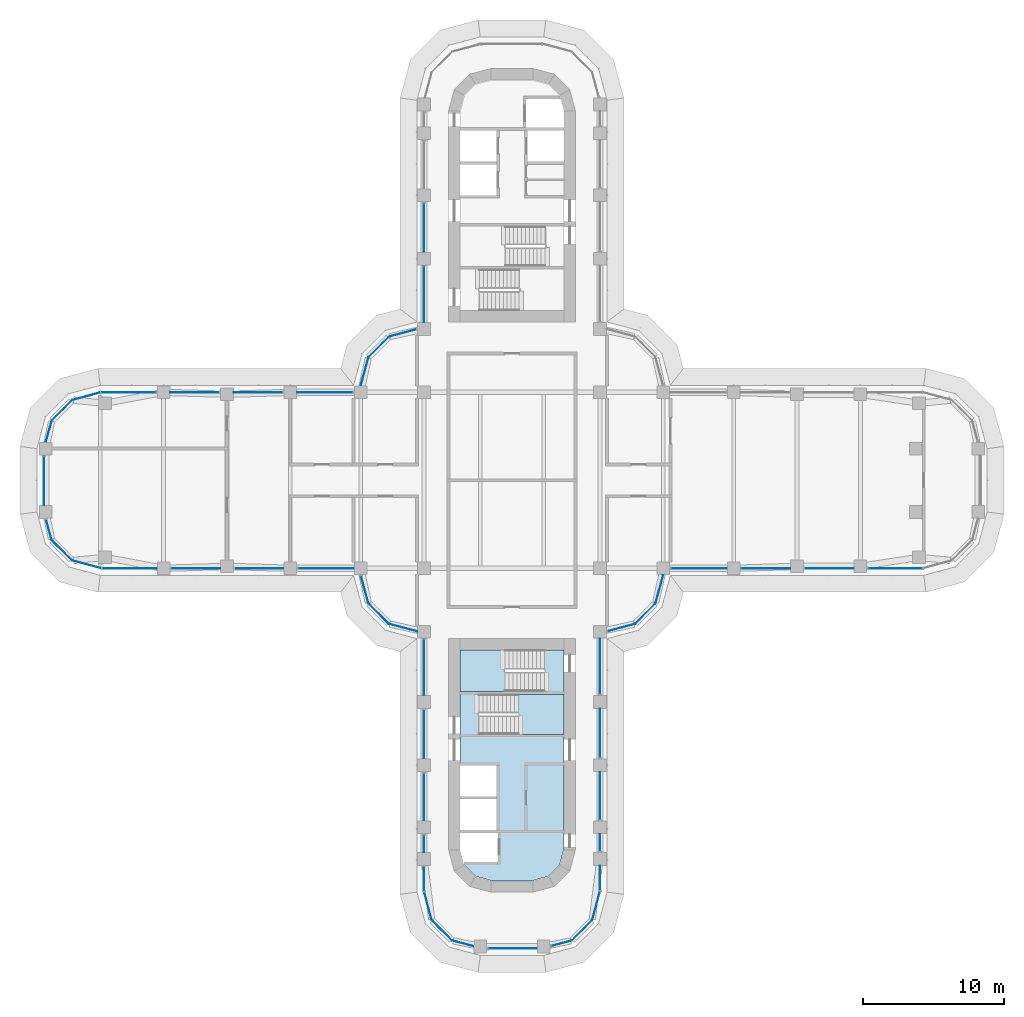
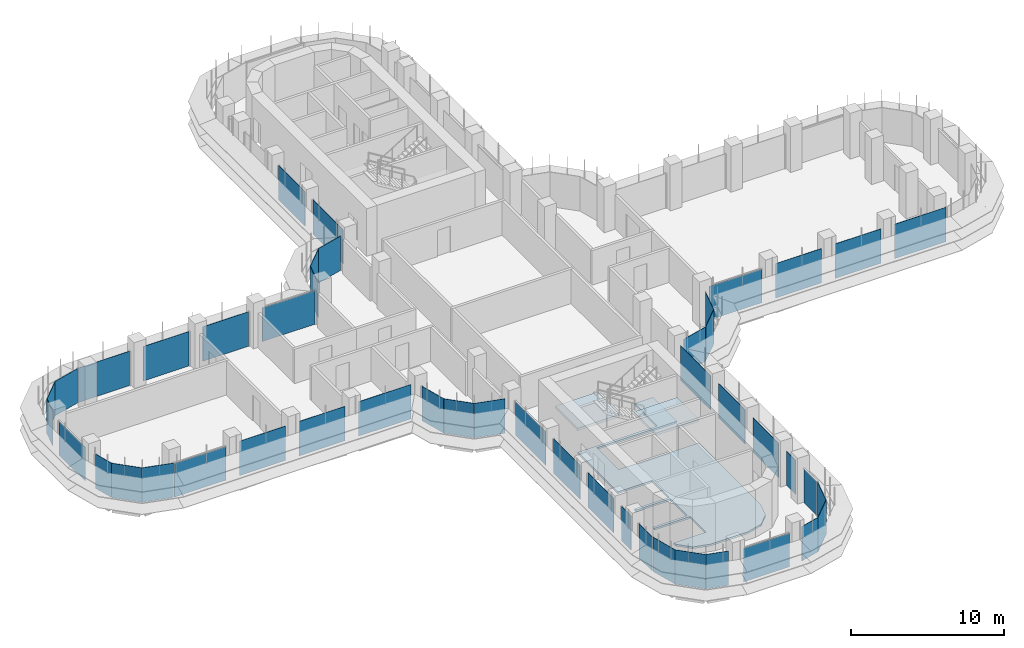
# One storey, part 12 of 21: 47 plates, 3 slabs, 31 elements without a shape of their own.
"""IFC4 building model written with IfcOpenShell, lengths in metres."""

import ifcopenshell
import ifcopenshell.guid

model = None  # the IFC model being written
_history = None  # IfcOwnerHistory: only IFC2X3 demands one
_inside = {}  # id of a spatial element -> (the spatial element, [elements in it])
_under = {}  # id of a project, library or spatial element -> (it, [spatial elements below it])
_declared = {}  # id of a project -> (the project, [libraries it declares])
_typed = {}  # id of a type object -> (the type object, [elements of that type])
_made_of = {}  # id of a material, layer set ... -> (it, [elements and type objects made of it])


def new_model(schema):
    """Start an empty IFC model of exactly this schema.

    Asked for "IFC4X3", IfcOpenShell would pick the latest addendum, in which some entities
    have other attributes; the version numbers below select the first issue.
    IFC2X3 requires an IfcOwnerHistory on every rooted entity: one is made here for all.
    """
    global model, _history
    if schema == "IFC4X3":
        model = ifcopenshell.file(schema_version=(4, 3, 0, 0))
    else:
        model = ifcopenshell.file(schema=schema)
    _inside.clear()
    _under.clear()
    _declared.clear()
    _typed.clear()
    _made_of.clear()
    _history = None
    if model.schema == "IFC2X3":
        org = make("IfcOrganization", Name="unknown")
        user = make(
            "IfcPersonAndOrganization",
            ThePerson=make("IfcPerson", FamilyName="unknown"),
            TheOrganization=org,
        )
        app = make(
            "IfcApplication",
            ApplicationDeveloper=org,
            Version="unknown",
            ApplicationFullName="unknown",
            ApplicationIdentifier="unknown",
        )
        _history = make(
            "IfcOwnerHistory",
            OwningUser=user,
            OwningApplication=app,
            ChangeAction="ADDED",
            CreationDate=0,
        )
    return model


def make(cls, **values):
    """One entity of the class cls with the attributes given. An attribute that is None is left unset."""
    return model.create_entity(
        cls, **{name: value for name, value in values.items() if value is not None}
    )


def rooted(cls, **values):
    """An entity with a GlobalId (a new one), such as an element, a storey or a relation."""
    return make(cls, GlobalId=ifcopenshell.guid.new(), OwnerHistory=_history, **values)


def si_unit(unit_type, name, prefix=None):
    """IfcSIUnit, for example si_unit("LENGTHUNIT", "METRE", prefix="MILLI")."""
    return make("IfcSIUnit", UnitType=unit_type, Prefix=prefix, Name=name)


def assignment(units):
    """IfcUnitAssignment: the units of a project."""
    return None if units is None else make("IfcUnitAssignment", Units=units)


def point(xyz):
    """IfcCartesianPoint."""
    return None if xyz is None else make("IfcCartesianPoint", Coordinates=xyz)


def direction(xyz):
    """IfcDirection."""
    return None if xyz is None else make("IfcDirection", DirectionRatios=xyz)


def frame(location, z_axis=None, x_axis=None):
    """IfcAxis2Placement3D, a coordinate frame: its origin and axes. An axis left out is left unset."""
    return make(
        "IfcAxis2Placement3D",
        Location=point(location),
        Axis=direction(z_axis),
        RefDirection=direction(x_axis),
    )


def origin():
    """The frame at (0, 0, 0) with its axes left unset."""
    return frame((0.0, 0.0, 0.0))


def place(relative_to, where):
    """IfcLocalPlacement: puts the frame where relative to a parent placement (None: the world)."""
    return make(
        "IfcLocalPlacement", PlacementRelTo=relative_to, RelativePlacement=where
    )


def context(
    kind, dimensions, precision=None, world=None, true_north=None, identifier=None
):
    """IfcGeometricRepresentationContext, for example the 3D "Model" context."""
    return make(
        "IfcGeometricRepresentationContext",
        ContextIdentifier=identifier,
        ContextType=kind,
        CoordinateSpaceDimension=dimensions,
        Precision=precision,
        WorldCoordinateSystem=world,
        TrueNorth=true_north,
    )


def subcontext(parent, identifier, kind, view, scale=None):
    """IfcGeometricRepresentationSubContext, for example "Body" below "Model"."""
    return make(
        "IfcGeometricRepresentationSubContext",
        ContextIdentifier=identifier,
        ContextType=kind,
        ParentContext=parent,
        TargetScale=scale,
        TargetView=view,
    )


def project(units=None, contexts=None):
    """IfcProject with its units and contexts."""
    return rooted(
        "IfcProject",
        Name="project",
        RepresentationContexts=contexts,
        UnitsInContext=assignment(units),
    )


def spatial(cls, under=None, at=None, **own):
    """A site, building, storey or space (cls), placed at a placement, below another one or the project."""
    s = rooted(cls, ObjectPlacement=at, **own)
    if under is not None:
        _under.setdefault(under.id(), (under, []))[1].append(s)
    return s


def polyline(points):
    """IfcPolyline through the points."""
    return make("IfcPolyline", Points=[point(p) for p in points])


def outline(outer, holes=None, kind="AREA"):
    """IfcArbitraryClosedProfileDef: a profile drawn as a closed curve; with holes, ...WithVoids."""
    if holes is None:
        return make("IfcArbitraryClosedProfileDef", ProfileType=kind, OuterCurve=outer)
    return make(
        "IfcArbitraryProfileDefWithVoids",
        ProfileType=kind,
        OuterCurve=outer,
        InnerCurves=holes,
    )


def extrude(swept, where, along, depth):
    """IfcExtrudedAreaSolid: the profile swept, set in the frame where, extruded along a direction by depth."""
    return make(
        "IfcExtrudedAreaSolid",
        SweptArea=swept,
        Position=where,
        ExtrudedDirection=direction(along),
        Depth=depth,
    )


def shape(context_of_items, identifier, shape_type, items):
    """IfcShapeRepresentation: the items that make up one representation, for example the "Body"."""
    return make(
        "IfcShapeRepresentation",
        ContextOfItems=context_of_items,
        RepresentationIdentifier=identifier,
        RepresentationType=shape_type,
        Items=items,
    )


def source(mapping_origin, context_of_items, identifier, shape_type, items):
    """IfcRepresentationMap: a shape defined once, which mapped items show again and again."""
    return make(
        "IfcRepresentationMap",
        MappingOrigin=mapping_origin,
        MappedRepresentation=shape(context_of_items, identifier, shape_type, items),
    )


def transform(
    local_origin,
    x_axis=None,
    y_axis=None,
    z_axis=None,
    scale=None,
    scale2=None,
    scale3=None,
    uniform=True,
):
    """IfcCartesianTransformationOperator3D, or its non-uniform kind. x_axis, y_axis, z_axis: its Axis1, 2, 3."""
    if uniform:
        return make(
            "IfcCartesianTransformationOperator3D",
            Axis1=direction(x_axis),
            Axis2=direction(y_axis),
            LocalOrigin=point(local_origin),
            Scale=scale,
            Axis3=direction(z_axis),
        )
    return make(
        "IfcCartesianTransformationOperator3DnonUniform",
        Axis1=direction(x_axis),
        Axis2=direction(y_axis),
        LocalOrigin=point(local_origin),
        Scale=scale,
        Axis3=direction(z_axis),
        Scale2=scale2,
        Scale3=scale3,
    )


def mapped(mapping_source, mapping_target):
    """IfcMappedItem: shows the shape of a source again, moved by a transform."""
    return make(
        "IfcMappedItem", MappingSource=mapping_source, MappingTarget=mapping_target
    )


def material(Name=None, Category=None):
    """IfcMaterial."""
    return make("IfcMaterial", Name=Name, Category=Category)


def layer(
    of_material, thickness, ventilated=None, Name=None, Category=None, Priority=None
):
    """IfcMaterialLayer: one layer of a wall or slab, of a material (None: an air gap)."""
    return make(
        "IfcMaterialLayer",
        Material=of_material,
        LayerThickness=thickness,
        IsVentilated=ventilated,
        Name=Name,
        Category=Category,
        Priority=Priority,
    )


def layer_set(layers, Name=None):
    """IfcMaterialLayerSet."""
    return make("IfcMaterialLayerSet", MaterialLayers=layers, LayerSetName=Name)


def made_of(thing, what):
    """Note that an element or type object is made of a material, layer set ...; save() writes the relation."""
    if what is not None:
        _made_of.setdefault(what.id(), (what, []))[1].append(thing)
    return thing


def type_object(cls, material=None, **own):
    """A type object (cls), such as IfcWallType, which elements share."""
    return made_of(rooted(cls, **own), material)


def element(
    cls,
    number,
    at=None,
    inside=None,
    cuts=None,
    type_object=None,
    material=None,
    context=None,
    identifier="Body",
    shape_type=None,
    held_by="IfcProductDefinitionShape",
    body=None,
    shapes=None,
    **own,
):
    """One element of the class cls, such as IfcWall. Its Tag is "e" and its number.

    at: its placement. inside: the storey or other place that contains it. cuts: it is an
    opening in that element (IfcRelVoidsElement). A single representation is given by context,
    identifier, shape_type and body (its items); several are given by shapes. held_by: the class
    of the entity that holds the representations. save() writes the other relations.
    """
    e = rooted(cls, Tag="e%d" % number, ObjectPlacement=at, **own)
    if body is not None:
        shapes = [shape(context, identifier, shape_type, body)]
    if shapes is not None:
        e.Representation = make(held_by, Representations=shapes)
    if inside is not None:
        _inside.setdefault(inside.id(), (inside, []))[1].append(e)
    if cuts is not None:
        rooted(
            "IfcRelVoidsElement", RelatingBuildingElement=cuts, RelatedOpeningElement=e
        )
    if type_object is not None:
        _typed.setdefault(type_object.id(), (type_object, []))[1].append(e)
    return made_of(e, material)


def aggregate(whole, parts):
    """IfcRelAggregates: a whole, such as a stair, and the parts it consists of."""
    return rooted("IfcRelAggregates", RelatingObject=whole, RelatedObjects=parts)


def save(model, path):
    """Write the relations noted so far, then the file.

    IfcRelAggregates (storeys below a building ...), IfcRelContainedInSpatialStructure (elements
    in a storey), IfcRelDefinesByType, IfcRelAssociatesMaterial and IfcRelDeclares: one each for
    every whole, place, type object, material and project.
    """
    for whole, parts in _under.values():
        aggregate(whole, parts)
    for where, things in _inside.values():
        rooted(
            "IfcRelContainedInSpatialStructure",
            RelatedElements=things,
            RelatingStructure=where,
        )
    for kind, things in _typed.values():
        rooted("IfcRelDefinesByType", RelatedObjects=things, RelatingType=kind)
    for what, things in _made_of.values():
        rooted("IfcRelAssociatesMaterial", RelatedObjects=things, RelatingMaterial=what)
    for by, libraries in _declared.values():
        rooted("IfcRelDeclares", RelatingContext=by, RelatedDefinitions=libraries)
    model.write(path)


model = new_model("IFC4")

# Units and contexts
model_context = context("Model", 3, precision=1e-05, world=origin(), true_north=direction((0.0, 1.0)))
body_context = subcontext(model_context, "Body", "Model", "MODEL_VIEW")
ifc_project = project(units=[si_unit("LENGTHUNIT", "METRE"), si_unit("AREAUNIT", "SQUARE_METRE"), si_unit("VOLUMEUNIT", "CUBIC_METRE"), si_unit("PLANEANGLEUNIT", "RADIAN"), si_unit("MASSUNIT", "GRAM", prefix="KILO")], contexts=[model_context])

# Site, building, storey
site_placement = place(None, origin())
site = spatial("IfcSite", under=ifc_project, at=site_placement, CompositionType="ELEMENT")
building_placement = place(site_placement, origin())
building = spatial("IfcBuilding", under=site, at=building_placement, Name="Zarbagh Exchange Tower", CompositionType="ELEMENT")
storey_placement = place(building_placement, frame((0.0, 0.0, 120.800048828125)))
storey = spatial("IfcBuildingStorey", under=building, at=storey_placement, Name="L28", CompositionType="ELEMENT", Elevation=120.800048828125)

# Slab
ifc_material_1 = material(Name="Concrete C40/50", Category="concrete")
ifc_layer_1 = layer(ifc_material_1, 0.14990234375)
ifc_layer_set_1 = layer_set([ifc_layer_1], Name="Core floor slab 150 C40/50")
slab_type_1 = type_object("IfcSlabType", Name="Core floor slab 150 C40/50", PredefinedType="FLOOR", material=ifc_layer_set_1)
slab_1_placement = place(storey_placement, frame((0.0, 0.0, -0.150146484375)))
element("IfcSlab", 1, at=slab_1_placement, inside=storey, type_object=slab_type_1, Name="S17 core S", PredefinedType="FLOOR", context=body_context, shape_type="SweptSolid", body=[
    extrude(outline(polyline([(-2.5859375, -28.130859375), (-3.380859375, -27.3359375), (-3.646484375, -26.3447265625), (-3.444091796875, -27.10009765625), (-1.0, -27.10009765625), (-1.0, -25.050048828125), (-3.699951171875, -25.050048828125), (-3.699951171875, -24.85009765625), (-1.10009765625, -24.85009765625), (-1.10009765625, -22.64990234375), (-3.699951171875, -22.64990234375), (-3.699951171875, -22.449951171875), (-1.10009765625, -22.449951171875), (-1.10009765625, -20.25), (-3.699951171875, -20.25), (-3.699951171875, -15.0), (2.300048828125, -15.0), (2.300048828125, -12.050048828125), (3.699951171875, -12.050048828125), (3.699951171875, -15.199951171875), (-2.35009765625, -15.199951171875), (-2.35009765625, -18.050048828125), (3.699951171875, -18.050048828125), (3.699951171875, -26.144775390625), (3.380859375, -27.3359375), (2.5859375, -28.130859375), (1.394775390625, -28.449951171875), (-1.394775390625, -28.449951171875), (-2.5859375, -28.130859375)])), origin(), (0.0, 0.0, 1.0), 0.150146484375),
])

# Stair, slab
stair_type = type_object("IfcStairType", Name="Exit stair two-flight half-turn", PredefinedType="HALF_TURN_STAIR", material=ifc_material_1)
stair_1_placement = place(storey_placement, origin())
stair_1 = element("IfcStair", 2, at=stair_1_placement, inside=storey, type_object=stair_type, Name="exit stair ST3", PredefinedType="HALF_TURN_STAIR")
ifc_layer_2 = layer(ifc_material_1, 0.199951171875)
ifc_layer_set_2 = layer_set([ifc_layer_2], Name="Stair landing 200 mm")
slab_type_2 = type_object("IfcSlabType", Name="Stair landing 200 mm", PredefinedType="LANDING", material=ifc_layer_set_2)
slab_2_placement = place(storey_placement, frame((0.0, 0.0, 1.699951171875)))
slab_2 = element("IfcSlab", 3, at=slab_2_placement, type_object=slab_type_2, Name="ST3 landing 1", PredefinedType="LANDING", context=body_context, shape_type="SweptSolid", body=[
    extrude(outline(polyline([(0.449951171875, -18.050048828125), (3.699951171875, -18.050048828125), (3.699951171875, -15.199951171875), (0.449951171875, -15.199951171875), (0.449951171875, -18.050048828125)])), origin(), (0.0, 0.0, 1.0), 0.199951171875),
])
aggregate(stair_1, [slab_2])

stair_2_placement = place(storey_placement, origin())
stair_2 = element("IfcStair", 4, at=stair_2_placement, inside=storey, type_object=stair_type, Name="exit stair ST4", PredefinedType="HALF_TURN_STAIR")
slab_3_placement = place(storey_placement, frame((0.0, 0.0, 1.699951171875)))
slab_3 = element("IfcSlab", 5, at=slab_3_placement, type_object=slab_type_2, Name="ST4 landing 1", PredefinedType="LANDING", context=body_context, shape_type="SweptSolid", body=[
    extrude(outline(polyline([(-0.5, -12.050048828125), (-3.699951171875, -12.050048828125), (-3.699951171875, -15.0), (-0.5, -15.0), (-0.5, -12.050048828125)])), origin(), (0.0, 0.0, 1.0), 0.199951171875),
])
aggregate(stair_2, [slab_3])

# Curtain wall, plate
ifc_material_2 = material(Name="Anodised aluminium frame and glazing", Category="aluminium")
curtain_wall_type = type_object("IfcCurtainWallType", Name="CWA Ribbon glazing, lower zones", PredefinedType="NOTDEFINED", material=ifc_material_2)
curtain_wall_1_placement = place(storey_placement, origin())
curtain_wall_1 = element("IfcCurtainWall", 6, at=curtain_wall_1_placement, inside=storey, type_object=curtain_wall_type, Name="CWA01 curtain wall", PredefinedType="NOTDEFINED")
ifc_material_3 = material(Name="Low-e double glazed unit, 6+12+6 mm")
ifc_layer_3 = layer(ifc_material_3, 0.028076171875)
ifc_layer_set_3 = layer_set([ifc_layer_3], Name="PAA Glazing panel, Low-e double glazed unit, 6+12+6 mm")
plate_type = type_object("IfcPlateType", Name="PAA Glazing panel, Low-e double glazed unit, 6+12+6 mm", PredefinedType="CURTAIN_PANEL", material=ifc_layer_set_3)
shared_shape_1 = source(origin(), body_context, "Body", "SweptSolid", [
    extrude(outline(polyline([(0.0, -0.013916015625), (1.494140625, -0.013916015625), (1.494140625, 0.013916015625), (0.0, 0.013916015625), (0.0, -0.013916015625)])), origin(), (0.0, 0.0, 1.0), 2.75),
])
placement = place(storey_placement, origin())
plate_1 = element("IfcPlate", 7, at=placement, type_object=plate_type, Name="CWA01 glazing panel 1.1", PredefinedType="CURTAIN_PANEL", context=body_context, shape_type="MappedRepresentation", body=[
    mapped(shared_shape_1, transform((2.7978515625, -33.08544921875, 0.0), x_axis=(0.965924289636, 0.258824779902, 0.0), y_axis=(-0.258824779902, 0.965924289636, 0.0), z_axis=(0.0, 0.0, 1.0))),
])
aggregate(curtain_wall_1, [plate_1])

curtain_wall_2_placement = place(storey_placement, origin())
curtain_wall_2 = element("IfcCurtainWall", 8, at=curtain_wall_2_placement, inside=storey, type_object=curtain_wall_type, Name="CWA37 curtain wall", PredefinedType="NOTDEFINED")
plate_2 = element("IfcPlate", 9, at=placement, type_object=plate_type, Name="CWA37 glazing panel 1.1", PredefinedType="CURTAIN_PANEL", context=body_context, shape_type="MappedRepresentation", body=[
    mapped(shared_shape_1, transform((-33.08544921875, -2.7978515625, 0.0), x_axis=(0.258824779902, -0.965924289636, 0.0), y_axis=(0.965924289636, 0.258824779902, 0.0), z_axis=(0.0, 0.0, 1.0))),
])
aggregate(curtain_wall_2, [plate_2])

curtain_wall_3_placement = place(storey_placement, origin())
curtain_wall_3 = element("IfcCurtainWall", 10, at=curtain_wall_3_placement, inside=storey, type_object=curtain_wall_type, Name="CWA02 curtain wall", PredefinedType="NOTDEFINED")
shared_shape_2 = source(origin(), body_context, "Body", "SweptSolid", [
    extrude(outline(polyline([(0.0, -0.013916015625), (2.061279296875, -0.013916015625), (2.061279296875, 0.013916015625), (0.0, 0.013916015625), (0.0, -0.013916015625)])), origin(), (0.0, 0.0, 1.0), 2.75),
])
plate_3 = element("IfcPlate", 11, at=placement, type_object=plate_type, Name="CWA02 glazing panel 1.1", PredefinedType="CURTAIN_PANEL", context=body_context, shape_type="MappedRepresentation", body=[
    mapped(shared_shape_2, transform((4.2412109375, -32.69873046875, 0.0), x_axis=(0.707106781187, 0.707106781187, 0.0), y_axis=(-0.707106781187, 0.707106781187, 0.0), z_axis=(0.0, 0.0, 1.0))),
])
aggregate(curtain_wall_3, [plate_3])

curtain_wall_4_placement = place(storey_placement, origin())
curtain_wall_4 = element("IfcCurtainWall", 12, at=curtain_wall_4_placement, inside=storey, type_object=curtain_wall_type, Name="CWA06 curtain wall", PredefinedType="NOTDEFINED")
plate_4 = element("IfcPlate", 13, at=placement, type_object=plate_type, Name="CWA06 glazing panel 1.1", PredefinedType="CURTAIN_PANEL", context=body_context, shape_type="MappedRepresentation", body=[
    mapped(shared_shape_2, transform((8.7412109375, -10.19873046875, 0.0), x_axis=(0.707106781187, 0.707106781187, 0.0), y_axis=(-0.707106781187, 0.707106781187, 0.0), z_axis=(0.0, 0.0, 1.0))),
])
aggregate(curtain_wall_4, [plate_4])

curtain_wall_5_placement = place(storey_placement, origin())
curtain_wall_5 = element("IfcCurtainWall", 14, at=curtain_wall_5_placement, inside=storey, type_object=curtain_wall_type, Name="CWA30 curtain wall", PredefinedType="NOTDEFINED")
plate_5 = element("IfcPlate", 15, at=placement, type_object=plate_type, Name="CWA30 glazing panel 1.1", PredefinedType="CURTAIN_PANEL", context=body_context, shape_type="MappedRepresentation", body=[
    mapped(shared_shape_2, transform((-8.7412109375, 10.19873046875, 0.0), x_axis=(-0.707106781187, -0.707106781187, 0.0), y_axis=(0.707106781187, -0.707106781187, 0.0), z_axis=(0.0, 0.0, 1.0))),
])
aggregate(curtain_wall_5, [plate_5])

curtain_wall_6_placement = place(storey_placement, origin())
curtain_wall_6 = element("IfcCurtainWall", 16, at=curtain_wall_6_placement, inside=storey, type_object=curtain_wall_type, Name="CWA34 curtain wall", PredefinedType="NOTDEFINED")
plate_6 = element("IfcPlate", 17, at=placement, type_object=plate_type, Name="CWA34 glazing panel 1.1", PredefinedType="CURTAIN_PANEL", context=body_context, shape_type="MappedRepresentation", body=[
    mapped(shared_shape_2, transform((-31.2412109375, 5.69873046875, 0.0), x_axis=(-0.707106781187, -0.707106781187, 0.0), y_axis=(0.707106781187, -0.707106781187, 0.0), z_axis=(0.0, 0.0, 1.0))),
])
aggregate(curtain_wall_6, [plate_6])

curtain_wall_7_placement = place(storey_placement, origin())
curtain_wall_7 = element("IfcCurtainWall", 18, at=curtain_wall_7_placement, inside=storey, type_object=curtain_wall_type, Name="CWA38 curtain wall", PredefinedType="NOTDEFINED")
plate_7 = element("IfcPlate", 19, at=placement, type_object=plate_type, Name="CWA38 glazing panel 1.1", PredefinedType="CURTAIN_PANEL", context=body_context, shape_type="MappedRepresentation", body=[
    mapped(shared_shape_2, transform((-32.69873046875, -4.2412109375, 0.0), x_axis=(0.707106781187, -0.707106781187, 0.0), y_axis=(0.707106781187, 0.707106781187, 0.0), z_axis=(0.0, 0.0, 1.0))),
])
aggregate(curtain_wall_7, [plate_7])

curtain_wall_8_placement = place(storey_placement, origin())
curtain_wall_8 = element("IfcCurtainWall", 20, at=curtain_wall_8_placement, inside=storey, type_object=curtain_wall_type, Name="CWA42 curtain wall", PredefinedType="NOTDEFINED")
plate_8 = element("IfcPlate", 21, at=placement, type_object=plate_type, Name="CWA42 glazing panel 1.1", PredefinedType="CURTAIN_PANEL", context=body_context, shape_type="MappedRepresentation", body=[
    mapped(shared_shape_2, transform((-10.19873046875, -8.7412109375, 0.0), x_axis=(0.707106781187, -0.707106781187, 0.0), y_axis=(0.707106781187, 0.707106781187, 0.0), z_axis=(0.0, 0.0, 1.0))),
])
aggregate(curtain_wall_8, [plate_8])

curtain_wall_9_placement = place(storey_placement, origin())
curtain_wall_9 = element("IfcCurtainWall", 22, at=curtain_wall_9_placement, inside=storey, type_object=curtain_wall_type, Name="CWA46 curtain wall", PredefinedType="NOTDEFINED")
plate_9 = element("IfcPlate", 23, at=placement, type_object=plate_type, Name="CWA46 glazing panel 1.1", PredefinedType="CURTAIN_PANEL", context=body_context, shape_type="MappedRepresentation", body=[
    mapped(shared_shape_2, transform((-5.69873046875, -31.2412109375, 0.0), x_axis=(0.707106781187, -0.707106781187, 0.0), y_axis=(0.707106781187, 0.707106781187, 0.0), z_axis=(0.0, 0.0, 1.0))),
])
aggregate(curtain_wall_9, [plate_9])

curtain_wall_10_placement = place(storey_placement, origin())
curtain_wall_10 = element("IfcCurtainWall", 24, at=curtain_wall_10_placement, inside=storey, type_object=curtain_wall_type, Name="CWA03 curtain wall", PredefinedType="NOTDEFINED")
shared_shape_3 = source(origin(), body_context, "Body", "SweptSolid", [
    extrude(outline(polyline([(0.0, -0.013916015625), (2.129638671875, -0.013916015625), (2.129638671875, 0.013916015625), (0.0, 0.013916015625), (0.0, -0.013916015625)])), origin(), (0.0, 0.0, 1.0), 2.75),
])
plate_10 = element("IfcPlate", 25, at=placement, type_object=plate_type, Name="CWA03 glazing panel 1.1", PredefinedType="CURTAIN_PANEL", context=body_context, shape_type="MappedRepresentation", body=[
    mapped(shared_shape_3, transform((5.69873046875, -31.2412109375, 0.0), x_axis=(0.258824779902, 0.965924289636, 0.0), y_axis=(-0.965924289636, 0.258824779902, 0.0), z_axis=(0.0, 0.0, 1.0))),
])
aggregate(curtain_wall_10, [plate_10])

curtain_wall_11_placement = place(storey_placement, origin())
curtain_wall_11 = element("IfcCurtainWall", 26, at=curtain_wall_11_placement, inside=storey, type_object=curtain_wall_type, Name="CWA39 curtain wall", PredefinedType="NOTDEFINED")
plate_11 = element("IfcPlate", 27, at=placement, type_object=plate_type, Name="CWA39 glazing panel 1.1", PredefinedType="CURTAIN_PANEL", context=body_context, shape_type="MappedRepresentation", body=[
    mapped(shared_shape_3, transform((-31.2412109375, -5.69873046875, 0.0), x_axis=(0.965924289636, -0.258824779902, 0.0), y_axis=(0.258824779902, 0.965924289636, 0.0), z_axis=(0.0, 0.0, 1.0))),
])
aggregate(curtain_wall_11, [plate_11])

# Curtain wall, plates
curtain_wall_12_placement = place(storey_placement, origin())
curtain_wall_12 = element("IfcCurtainWall", 28, at=curtain_wall_12_placement, inside=storey, type_object=curtain_wall_type, Name="CWA04 curtain wall", PredefinedType="NOTDEFINED")
shared_shape_4 = source(origin(), body_context, "Body", "SweptSolid", [
    extrude(outline(polyline([(0.0, -0.013916015625), (1.734130859375, -0.013916015625), (1.734130859375, 0.013916015625), (0.0, 0.013916015625), (0.0, -0.013916015625)])), origin(), (0.0, 0.0, 1.0), 2.68994140625),
])
plate_12 = element("IfcPlate", 29, at=placement, type_object=plate_type, Name="CWA04 glazing panel 1.1", PredefinedType="CURTAIN_PANEL", context=body_context, shape_type="MappedRepresentation", body=[
    mapped(shared_shape_4, transform((6.25, -29.124267578125, 0.0), x_axis=(0.0, 1.0, 0.0), y_axis=(-1.0, 0.0, 0.0), z_axis=(0.0, 0.0, 1.0))),
])
shared_shape_5 = source(origin(), body_context, "Body", "SweptSolid", [
    extrude(outline(polyline([(0.0, -0.013916015625), (1.2099609375, -0.013916015625), (1.2099609375, 0.013916015625), (0.0, 0.013916015625), (0.0, -0.013916015625)])), origin(), (0.0, 0.0, 1.0), 2.75),
])
plate_13 = element("IfcPlate", 30, at=placement, type_object=plate_type, Name="CWA04 glazing panel 2.1", PredefinedType="CURTAIN_PANEL", context=body_context, shape_type="MappedRepresentation", body=[
    mapped(shared_shape_5, transform((6.25, -26.349853515625, 0.0), x_axis=(0.0, 1.0, 0.0), y_axis=(-1.0, 0.0, 0.0), z_axis=(0.0, 0.0, 1.0))),
])

# Curtain wall, plate
curtain_wall_13_placement = place(storey_placement, origin())
curtain_wall_13 = element("IfcCurtainWall", 31, at=curtain_wall_13_placement, inside=storey, type_object=curtain_wall_type, Name="CWA44 curtain wall", PredefinedType="NOTDEFINED")
plate_14 = element("IfcPlate", 32, at=placement, type_object=plate_type, Name="CWA44 glazing panel 4.1", PredefinedType="CURTAIN_PANEL", context=body_context, shape_type="MappedRepresentation", body=[
    mapped(shared_shape_5, transform((-6.25, -25.199951171875, 0.0), x_axis=(0.0, -1.0, 0.0), y_axis=(1.0, 0.0, 0.0), z_axis=(0.0, 0.0, 1.0))),
])

# Plate
shared_shape_6 = source(origin(), body_context, "Body", "SweptSolid", [
    extrude(outline(polyline([(0.0, -0.013916015625), (3.360107421875, -0.013916015625), (3.360107421875, 0.013916015625), (0.0, 0.013916015625), (0.0, -0.013916015625)])), origin(), (0.0, 0.0, 1.0), 2.75),
])
plate_15 = element("IfcPlate", 33, at=placement, type_object=plate_type, Name="CWA04 glazing panel 3.1", PredefinedType="CURTAIN_PANEL", context=body_context, shape_type="MappedRepresentation", body=[
    mapped(shared_shape_6, transform((6.25, -24.099853515625, 0.0), x_axis=(0.0, 1.0, 0.0), y_axis=(-1.0, 0.0, 0.0), z_axis=(0.0, 0.0, 1.0))),
])

plate_16 = element("IfcPlate", 34, at=placement, type_object=plate_type, Name="CWA44 glazing panel 3.1", PredefinedType="CURTAIN_PANEL", context=body_context, shape_type="MappedRepresentation", body=[
    mapped(shared_shape_6, transform((-6.25, -20.800048828125, 0.0), x_axis=(0.0, -1.0, 0.0), y_axis=(1.0, 0.0, 0.0), z_axis=(0.0, 0.0, 1.0))),
])

shared_shape_7 = source(origin(), body_context, "Body", "SweptSolid", [
    extrude(outline(polyline([(0.0, -0.013916015625), (3.4599609375, -0.013916015625), (3.4599609375, 0.013916015625), (0.0, 0.013916015625), (0.0, -0.013916015625)])), origin(), (0.0, 0.0, 1.0), 2.75),
])
plate_17 = element("IfcPlate", 35, at=placement, type_object=plate_type, Name="CWA04 glazing panel 4.1", PredefinedType="CURTAIN_PANEL", context=body_context, shape_type="MappedRepresentation", body=[
    mapped(shared_shape_7, transform((6.25, -19.699951171875, 0.0), x_axis=(0.0, 1.0, 0.0), y_axis=(-1.0, 0.0, 0.0), z_axis=(0.0, 0.0, 1.0))),
])

# Curtain wall, plates
curtain_wall_14_placement = place(storey_placement, origin())
curtain_wall_14 = element("IfcCurtainWall", 36, at=curtain_wall_14_placement, inside=storey, type_object=curtain_wall_type, Name="CWA08 curtain wall", PredefinedType="NOTDEFINED")
plate_18 = element("IfcPlate", 37, at=placement, type_object=plate_type, Name="CWA08 glazing panel 2.1", PredefinedType="CURTAIN_PANEL", context=body_context, shape_type="MappedRepresentation", body=[
    mapped(shared_shape_7, transform((16.300048828125, -6.25, 0.0), x_axis=(1.0, 0.0, 0.0), y_axis=(0.0, 1.0, 0.0), z_axis=(0.0, 0.0, 1.0))),
])
plate_19 = element("IfcPlate", 38, at=placement, type_object=plate_type, Name="CWA08 glazing panel 3.1", PredefinedType="CURTAIN_PANEL", context=body_context, shape_type="MappedRepresentation", body=[
    mapped(shared_shape_7, transform((20.800048828125, -6.25, 0.0), x_axis=(1.0, 0.0, 0.0), y_axis=(0.0, 1.0, 0.0), z_axis=(0.0, 0.0, 1.0))),
])

# Curtain wall, plate
curtain_wall_15_placement = place(storey_placement, origin())
curtain_wall_15 = element("IfcCurtainWall", 39, at=curtain_wall_15_placement, inside=storey, type_object=curtain_wall_type, Name="CWA56 curtain wall", PredefinedType="NOTDEFINED")
plate_20 = element("IfcPlate", 40, at=placement, type_object=plate_type, Name="CWA56 glazing panel 3.1", PredefinedType="CURTAIN_PANEL", context=body_context, shape_type="MappedRepresentation", body=[
    mapped(shared_shape_7, transform((-6.25, 19.699951171875, 0.0), x_axis=(0.0, -1.0, 0.0), y_axis=(1.0, 0.0, 0.0), z_axis=(0.0, 0.0, 1.0))),
])

# Curtain wall, plates
curtain_wall_16_placement = place(storey_placement, origin())
curtain_wall_16 = element("IfcCurtainWall", 41, at=curtain_wall_16_placement, inside=storey, type_object=curtain_wall_type, Name="CWA32 curtain wall", PredefinedType="NOTDEFINED")
plate_21 = element("IfcPlate", 42, at=placement, type_object=plate_type, Name="CWA32 glazing panel 2.1", PredefinedType="CURTAIN_PANEL", context=body_context, shape_type="MappedRepresentation", body=[
    mapped(shared_shape_7, transform((-16.300048828125, 6.25, 0.0), x_axis=(-1.0, 0.0, 0.0), y_axis=(0.0, -1.0, 0.0), z_axis=(0.0, 0.0, 1.0))),
])
plate_22 = element("IfcPlate", 43, at=placement, type_object=plate_type, Name="CWA32 glazing panel 3.1", PredefinedType="CURTAIN_PANEL", context=body_context, shape_type="MappedRepresentation", body=[
    mapped(shared_shape_7, transform((-20.800048828125, 6.25, 0.0), x_axis=(-1.0, 0.0, 0.0), y_axis=(0.0, -1.0, 0.0), z_axis=(0.0, 0.0, 1.0))),
])

curtain_wall_17_placement = place(storey_placement, origin())
curtain_wall_17 = element("IfcCurtainWall", 44, at=curtain_wall_17_placement, inside=storey, type_object=curtain_wall_type, Name="CWA40 curtain wall", PredefinedType="NOTDEFINED")
plate_23 = element("IfcPlate", 45, at=placement, type_object=plate_type, Name="CWA40 glazing panel 2.1", PredefinedType="CURTAIN_PANEL", context=body_context, shape_type="MappedRepresentation", body=[
    mapped(shared_shape_7, transform((-24.199951171875, -6.25, 0.0), x_axis=(1.0, 0.0, 0.0), y_axis=(0.0, 1.0, 0.0), z_axis=(0.0, 0.0, 1.0))),
])
plate_24 = element("IfcPlate", 46, at=placement, type_object=plate_type, Name="CWA40 glazing panel 3.1", PredefinedType="CURTAIN_PANEL", context=body_context, shape_type="MappedRepresentation", body=[
    mapped(shared_shape_7, transform((-19.699951171875, -6.25, 0.0), x_axis=(1.0, 0.0, 0.0), y_axis=(0.0, 1.0, 0.0), z_axis=(0.0, 0.0, 1.0))),
])

# Plate
plate_25 = element("IfcPlate", 47, at=placement, type_object=plate_type, Name="CWA44 glazing panel 2.1", PredefinedType="CURTAIN_PANEL", context=body_context, shape_type="MappedRepresentation", body=[
    mapped(shared_shape_7, transform((-6.25, -16.300048828125, 0.0), x_axis=(0.0, -1.0, 0.0), y_axis=(1.0, 0.0, 0.0), z_axis=(0.0, 0.0, 1.0))),
])

shared_shape_8 = source(origin(), body_context, "Body", "SweptSolid", [
    extrude(outline(polyline([(0.0, -0.013916015625), (3.9599609375, -0.013916015625), (3.9599609375, 0.013916015625), (0.0, 0.013916015625), (0.0, -0.013916015625)])), origin(), (0.0, 0.0, 1.0), 2.75),
])
plate_26 = element("IfcPlate", 48, at=placement, type_object=plate_type, Name="CWA04 glazing panel 5.1", PredefinedType="CURTAIN_PANEL", context=body_context, shape_type="MappedRepresentation", body=[
    mapped(shared_shape_8, transform((6.25, -15.199951171875, 0.0), x_axis=(0.0, 1.0, 0.0), y_axis=(-1.0, 0.0, 0.0), z_axis=(0.0, 0.0, 1.0))),
])

aggregate(curtain_wall_12, [plate_12, plate_13, plate_15, plate_17, plate_26])

plate_27 = element("IfcPlate", 49, at=placement, type_object=plate_type, Name="CWA56 glazing panel 4.1", PredefinedType="CURTAIN_PANEL", context=body_context, shape_type="MappedRepresentation", body=[
    mapped(shared_shape_8, transform((-6.25, 15.199951171875, 0.0), x_axis=(0.0, -1.0, 0.0), y_axis=(1.0, 0.0, 0.0), z_axis=(0.0, 0.0, 1.0))),
])

aggregate(curtain_wall_15, [plate_20, plate_27])

plate_28 = element("IfcPlate", 50, at=placement, type_object=plate_type, Name="CWA40 glazing panel 4.1", PredefinedType="CURTAIN_PANEL", context=body_context, shape_type="MappedRepresentation", body=[
    mapped(shared_shape_8, transform((-15.199951171875, -6.25, 0.0), x_axis=(1.0, 0.0, 0.0), y_axis=(0.0, 1.0, 0.0), z_axis=(0.0, 0.0, 1.0))),
])

# Curtain wall, plate
curtain_wall_18_placement = place(storey_placement, origin())
curtain_wall_18 = element("IfcCurtainWall", 51, at=curtain_wall_18_placement, inside=storey, type_object=curtain_wall_type, Name="CWA05 curtain wall", PredefinedType="NOTDEFINED")
shared_shape_9 = source(origin(), body_context, "Body", "SweptSolid", [
    extrude(outline(polyline([(0.0, -0.013916015625), (2.01171875, -0.013916015625), (2.01171875, 0.013916015625), (0.0, 0.013916015625), (0.0, -0.013916015625)])), origin(), (0.0, 0.0, 1.0), 2.75),
])
plate_29 = element("IfcPlate", 52, at=placement, type_object=plate_type, Name="CWA05 glazing panel 1.1", PredefinedType="CURTAIN_PANEL", context=body_context, shape_type="MappedRepresentation", body=[
    mapped(shared_shape_9, transform((6.7978515625, -10.719482421875, 0.0), x_axis=(0.965924289636, 0.258824779902, 0.0), y_axis=(-0.258824779902, 0.965924289636, 0.0), z_axis=(0.0, 0.0, 1.0))),
])
aggregate(curtain_wall_18, [plate_29])

curtain_wall_19_placement = place(storey_placement, origin())
curtain_wall_19 = element("IfcCurtainWall", 53, at=curtain_wall_19_placement, inside=storey, type_object=curtain_wall_type, Name="CWA29 curtain wall", PredefinedType="NOTDEFINED")
plate_30 = element("IfcPlate", 54, at=placement, type_object=plate_type, Name="CWA29 glazing panel 1.1", PredefinedType="CURTAIN_PANEL", context=body_context, shape_type="MappedRepresentation", body=[
    mapped(shared_shape_9, transform((-6.7978515625, 10.719482421875, 0.0), x_axis=(-0.965924289636, -0.258824779902, 0.0), y_axis=(0.258824779902, -0.965924289636, 0.0), z_axis=(0.0, 0.0, 1.0))),
])
aggregate(curtain_wall_19, [plate_30])

curtain_wall_20_placement = place(storey_placement, origin())
curtain_wall_20 = element("IfcCurtainWall", 55, at=curtain_wall_20_placement, inside=storey, type_object=curtain_wall_type, Name="CWA41 curtain wall", PredefinedType="NOTDEFINED")
plate_31 = element("IfcPlate", 56, at=placement, type_object=plate_type, Name="CWA41 glazing panel 1.1", PredefinedType="CURTAIN_PANEL", context=body_context, shape_type="MappedRepresentation", body=[
    mapped(shared_shape_9, transform((-10.719482421875, -6.7978515625, 0.0), x_axis=(0.258824779902, -0.965924289636, 0.0), y_axis=(0.965924289636, 0.258824779902, 0.0), z_axis=(0.0, 0.0, 1.0))),
])
aggregate(curtain_wall_20, [plate_31])

curtain_wall_21_placement = place(storey_placement, origin())
curtain_wall_21 = element("IfcCurtainWall", 57, at=curtain_wall_21_placement, inside=storey, type_object=curtain_wall_type, Name="CWA07 curtain wall", PredefinedType="NOTDEFINED")
shared_shape_10 = source(origin(), body_context, "Body", "SweptSolid", [
    extrude(outline(polyline([(0.0, -0.013916015625), (2.07177734375, -0.013916015625), (2.07177734375, 0.013916015625), (0.0, 0.013916015625), (0.0, -0.013916015625)])), origin(), (0.0, 0.0, 1.0), 2.75),
])
plate_32 = element("IfcPlate", 58, at=placement, type_object=plate_type, Name="CWA07 glazing panel 1.1", PredefinedType="CURTAIN_PANEL", context=body_context, shape_type="MappedRepresentation", body=[
    mapped(shared_shape_10, transform((10.19873046875, -8.7412109375, 0.0), x_axis=(0.258824779902, 0.965924289636, 0.0), y_axis=(-0.965924289636, 0.258824779902, 0.0), z_axis=(0.0, 0.0, 1.0))),
])
aggregate(curtain_wall_21, [plate_32])

curtain_wall_22_placement = place(storey_placement, origin())
curtain_wall_22 = element("IfcCurtainWall", 59, at=curtain_wall_22_placement, inside=storey, type_object=curtain_wall_type, Name="CWA31 curtain wall", PredefinedType="NOTDEFINED")
plate_33 = element("IfcPlate", 60, at=placement, type_object=plate_type, Name="CWA31 glazing panel 1.1", PredefinedType="CURTAIN_PANEL", context=body_context, shape_type="MappedRepresentation", body=[
    mapped(shared_shape_10, transform((-10.19873046875, 8.7412109375, 0.0), x_axis=(-0.258824779902, -0.965924289636, 0.0), y_axis=(0.965924289636, -0.258824779902, 0.0), z_axis=(0.0, 0.0, 1.0))),
])
aggregate(curtain_wall_22, [plate_33])

curtain_wall_23_placement = place(storey_placement, origin())
curtain_wall_23 = element("IfcCurtainWall", 61, at=curtain_wall_23_placement, inside=storey, type_object=curtain_wall_type, Name="CWA43 curtain wall", PredefinedType="NOTDEFINED")
plate_34 = element("IfcPlate", 62, at=placement, type_object=plate_type, Name="CWA43 glazing panel 1.1", PredefinedType="CURTAIN_PANEL", context=body_context, shape_type="MappedRepresentation", body=[
    mapped(shared_shape_10, transform((-8.7412109375, -10.19873046875, 0.0), x_axis=(0.965924289636, -0.258824779902, 0.0), y_axis=(0.258824779902, 0.965924289636, 0.0), z_axis=(0.0, 0.0, 1.0))),
])
aggregate(curtain_wall_23, [plate_34])

# Plate
shared_shape_11 = source(origin(), body_context, "Body", "SweptSolid", [
    extrude(outline(polyline([(0.0, -0.013916015625), (3.9599609375, -0.013916015625), (3.9599609375, 0.013916015625), (0.0, 0.013916015625), (0.0, -0.013916015625)])), origin(), (0.0, 0.0, 1.0), 2.68994140625),
])
plate_35 = element("IfcPlate", 63, at=placement, type_object=plate_type, Name="CWA08 glazing panel 1.1", PredefinedType="CURTAIN_PANEL", context=body_context, shape_type="MappedRepresentation", body=[
    mapped(shared_shape_11, transform((11.300048828125, -6.25, 0.0), x_axis=(1.0, 0.0, 0.0), y_axis=(0.0, 1.0, 0.0), z_axis=(0.0, 0.0, 1.0))),
])

plate_36 = element("IfcPlate", 64, at=placement, type_object=plate_type, Name="CWA32 glazing panel 1.1", PredefinedType="CURTAIN_PANEL", context=body_context, shape_type="MappedRepresentation", body=[
    mapped(shared_shape_11, transform((-11.300048828125, 6.25, 0.0), x_axis=(-1.0, 0.0, 0.0), y_axis=(0.0, -1.0, 0.0), z_axis=(0.0, 0.0, 1.0))),
])

plate_37 = element("IfcPlate", 65, at=placement, type_object=plate_type, Name="CWA44 glazing panel 1.1", PredefinedType="CURTAIN_PANEL", context=body_context, shape_type="MappedRepresentation", body=[
    mapped(shared_shape_11, transform((-6.25, -11.300048828125, 0.0), x_axis=(0.0, -1.0, 0.0), y_axis=(1.0, 0.0, 0.0), z_axis=(0.0, 0.0, 1.0))),
])

shared_shape_12 = source(origin(), body_context, "Body", "SweptSolid", [
    extrude(outline(polyline([(0.0, -0.013916015625), (3.884033203125, -0.013916015625), (3.884033203125, 0.013916015625), (0.0, 0.013916015625), (0.0, -0.013916015625)])), origin(), (0.0, 0.0, 1.0), 2.75),
])
plate_38 = element("IfcPlate", 66, at=placement, type_object=plate_type, Name="CWA08 glazing panel 4.1", PredefinedType="CURTAIN_PANEL", context=body_context, shape_type="MappedRepresentation", body=[
    mapped(shared_shape_12, transform((25.300048828125, -6.25, 0.0), x_axis=(1.0, 0.0, 0.0), y_axis=(0.0, 1.0, 0.0), z_axis=(0.0, 0.0, 1.0))),
])

aggregate(curtain_wall_14, [plate_35, plate_18, plate_19, plate_38])

plate_39 = element("IfcPlate", 67, at=placement, type_object=plate_type, Name="CWA32 glazing panel 4.1", PredefinedType="CURTAIN_PANEL", context=body_context, shape_type="MappedRepresentation", body=[
    mapped(shared_shape_12, transform((-25.300048828125, 6.25, 0.0), x_axis=(-1.0, 0.0, 0.0), y_axis=(0.0, -1.0, 0.0), z_axis=(0.0, 0.0, 1.0))),
])

aggregate(curtain_wall_16, [plate_36, plate_21, plate_22, plate_39])

# Curtain wall, plate
curtain_wall_24_placement = place(storey_placement, origin())
curtain_wall_24 = element("IfcCurtainWall", 68, at=curtain_wall_24_placement, inside=storey, type_object=curtain_wall_type, Name="CWA33 curtain wall", PredefinedType="NOTDEFINED")
shared_shape_13 = source(origin(), body_context, "Body", "SweptSolid", [
    extrude(outline(polyline([(0.0, -0.013916015625), (2.069580078125, -0.013916015625), (2.069580078125, 0.013916015625), (0.0, 0.013916015625), (0.0, -0.013916015625)])), origin(), (0.0, 0.0, 1.0), 2.75),
])
plate_40 = element("IfcPlate", 69, at=placement, type_object=plate_type, Name="CWA33 glazing panel 1.1", PredefinedType="CURTAIN_PANEL", context=body_context, shape_type="MappedRepresentation", body=[
    mapped(shared_shape_13, transform((-29.2421875, 6.234375, 0.0), x_axis=(-0.965924289636, -0.258824779902, 0.0), y_axis=(0.258824779902, -0.965924289636, 0.0), z_axis=(0.0, 0.0, 1.0))),
])
aggregate(curtain_wall_24, [plate_40])

curtain_wall_25_placement = place(storey_placement, origin())
curtain_wall_25 = element("IfcCurtainWall", 70, at=curtain_wall_25_placement, inside=storey, type_object=curtain_wall_type, Name="CWA45 curtain wall", PredefinedType="NOTDEFINED")
plate_41 = element("IfcPlate", 71, at=placement, type_object=plate_type, Name="CWA45 glazing panel 1.1", PredefinedType="CURTAIN_PANEL", context=body_context, shape_type="MappedRepresentation", body=[
    mapped(shared_shape_13, transform((-6.234375, -29.2421875, 0.0), x_axis=(0.258824779902, -0.965924289636, 0.0), y_axis=(0.965924289636, 0.258824779902, 0.0), z_axis=(0.0, 0.0, 1.0))),
])
aggregate(curtain_wall_25, [plate_41])

curtain_wall_26_placement = place(storey_placement, origin())
curtain_wall_26 = element("IfcCurtainWall", 72, at=curtain_wall_26_placement, inside=storey, type_object=curtain_wall_type, Name="CWA35 curtain wall", PredefinedType="NOTDEFINED")
shared_shape_14 = source(origin(), body_context, "Body", "SweptSolid", [
    extrude(outline(polyline([(0.0, -0.013916015625), (1.55419921875, -0.013916015625), (1.55419921875, 0.013916015625), (0.0, 0.013916015625), (0.0, -0.013916015625)])), origin(), (0.0, 0.0, 1.0), 2.75),
])
plate_42 = element("IfcPlate", 73, at=placement, type_object=plate_type, Name="CWA35 glazing panel 1.1", PredefinedType="CURTAIN_PANEL", context=body_context, shape_type="MappedRepresentation", body=[
    mapped(shared_shape_14, transform((-32.69873046875, 4.2412109375, 0.0), x_axis=(-0.258824779902, -0.965924289636, 0.0), y_axis=(0.965924289636, -0.258824779902, 0.0), z_axis=(0.0, 0.0, 1.0))),
])
aggregate(curtain_wall_26, [plate_42])

curtain_wall_27_placement = place(storey_placement, origin())
curtain_wall_27 = element("IfcCurtainWall", 74, at=curtain_wall_27_placement, inside=storey, type_object=curtain_wall_type, Name="CWA47 curtain wall", PredefinedType="NOTDEFINED")
plate_43 = element("IfcPlate", 75, at=placement, type_object=plate_type, Name="CWA47 glazing panel 1.1", PredefinedType="CURTAIN_PANEL", context=body_context, shape_type="MappedRepresentation", body=[
    mapped(shared_shape_14, transform((-4.2412109375, -32.69873046875, 0.0), x_axis=(0.965924289636, -0.258824779902, 0.0), y_axis=(0.258824779902, 0.965924289636, 0.0), z_axis=(0.0, 0.0, 1.0))),
])
aggregate(curtain_wall_27, [plate_43])

curtain_wall_28_placement = place(storey_placement, origin())
curtain_wall_28 = element("IfcCurtainWall", 76, at=curtain_wall_28_placement, inside=storey, type_object=curtain_wall_type, Name="CWA36 curtain wall", PredefinedType="NOTDEFINED")
shared_shape_15 = source(origin(), body_context, "Body", "SweptSolid", [
    extrude(outline(polyline([(0.0, -0.013916015625), (3.4599609375, -0.013916015625), (3.4599609375, 0.013916015625), (0.0, 0.013916015625), (0.0, -0.013916015625)])), origin(), (0.0, 0.0, 1.0), 2.68994140625),
])
plate_44 = element("IfcPlate", 77, at=placement, type_object=plate_type, Name="CWA36 glazing panel 1.1", PredefinedType="CURTAIN_PANEL", context=body_context, shape_type="MappedRepresentation", body=[
    mapped(shared_shape_15, transform((-33.25, 1.699951171875, 0.0), x_axis=(0.0, -1.0, 0.0), y_axis=(1.0, 0.0, 0.0), z_axis=(0.0, 0.0, 1.0))),
])
aggregate(curtain_wall_28, [plate_44])

curtain_wall_29_placement = place(storey_placement, origin())
curtain_wall_29 = element("IfcCurtainWall", 78, at=curtain_wall_29_placement, inside=storey, type_object=curtain_wall_type, Name="CWA48 curtain wall", PredefinedType="NOTDEFINED")
plate_45 = element("IfcPlate", 79, at=placement, type_object=plate_type, Name="CWA48 glazing panel 1.1", PredefinedType="CURTAIN_PANEL", context=body_context, shape_type="MappedRepresentation", body=[
    mapped(shared_shape_15, transform((-1.699951171875, -33.25, 0.0), x_axis=(1.0, 0.0, 0.0), y_axis=(0.0, 1.0, 0.0), z_axis=(0.0, 0.0, 1.0))),
])
aggregate(curtain_wall_29, [plate_45])

# Plate
shared_shape_16 = source(origin(), body_context, "Body", "SweptSolid", [
    extrude(outline(polyline([(0.0, -0.013916015625), (3.88427734375, -0.013916015625), (3.88427734375, 0.013916015625), (0.0, 0.013916015625), (0.0, -0.013916015625)])), origin(), (0.0, 0.0, 1.0), 2.68994140625),
])
plate_46 = element("IfcPlate", 80, at=placement, type_object=plate_type, Name="CWA40 glazing panel 1.1", PredefinedType="CURTAIN_PANEL", context=body_context, shape_type="MappedRepresentation", body=[
    mapped(shared_shape_16, transform((-29.124267578125, -6.25, 0.0), x_axis=(1.0, 0.0, 0.0), y_axis=(0.0, 1.0, 0.0), z_axis=(0.0, 0.0, 1.0))),
])

aggregate(curtain_wall_17, [plate_46, plate_23, plate_24, plate_28])

shared_shape_17 = source(origin(), body_context, "Body", "SweptSolid", [
    extrude(outline(polyline([(0.0, -0.013916015625), (1.734130859375, -0.013916015625), (1.734130859375, 0.013916015625), (0.0, 0.013916015625), (0.0, -0.013916015625)])), origin(), (0.0, 0.0, 1.0), 2.75),
])
plate_47 = element("IfcPlate", 81, at=placement, type_object=plate_type, Name="CWA44 glazing panel 5.1", PredefinedType="CURTAIN_PANEL", context=body_context, shape_type="MappedRepresentation", body=[
    mapped(shared_shape_17, transform((-6.25, -27.449951171875, 0.0), x_axis=(0.0, -1.0, 0.0), y_axis=(1.0, 0.0, 0.0), z_axis=(0.0, 0.0, 1.0))),
])

aggregate(curtain_wall_13, [plate_37, plate_25, plate_16, plate_14, plate_47])

save(model, "model.ifc")
